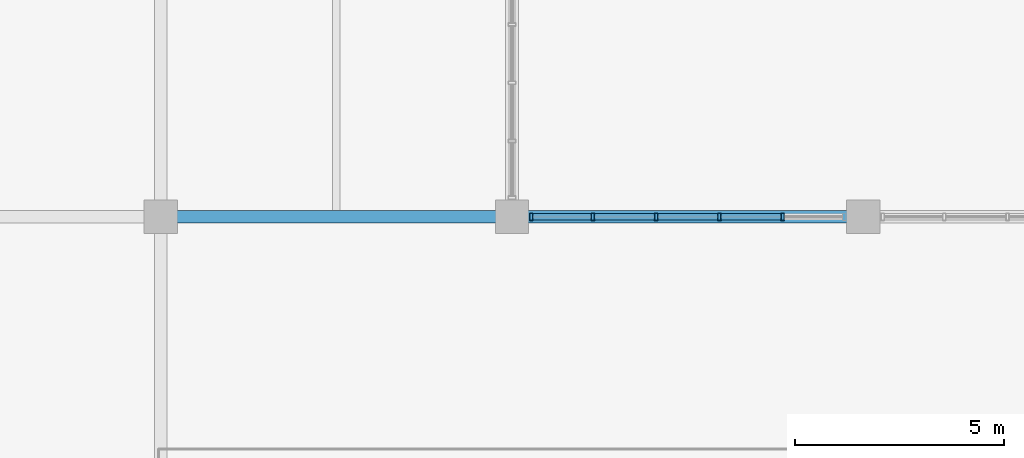
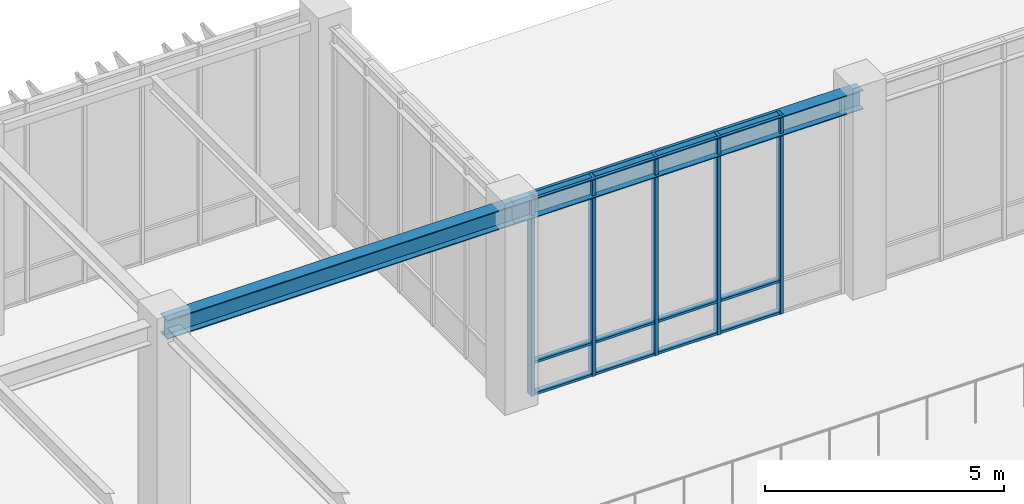
# One storey, part 48 of 139: 17 members, 2 beams, 1 element without a shape of its own.
"""IFC4 building model written with IfcOpenShell, lengths in metres."""

from ifc_helpers import new_model, si_unit, direction, frame, origin, origin_2d, place, context, subcontext, project, spatial, hollow_rectangle, i_section, extrude, material, layer, layer_set, material_profile, profile_set, type_object, element, aggregate, save


model = new_model("IFC4")

# Units and contexts
model_context = context("Model", 3, precision=1e-05, world=origin(), true_north=direction((0.0, 1.0)))
body_context = subcontext(model_context, "Body", "Model", "MODEL_VIEW")
ifc_project = project(units=[si_unit("LENGTHUNIT", "METRE"), si_unit("AREAUNIT", "SQUARE_METRE"), si_unit("VOLUMEUNIT", "CUBIC_METRE"), si_unit("PLANEANGLEUNIT", "RADIAN"), si_unit("MASSUNIT", "GRAM", prefix="KILO")], contexts=[model_context])

# Site, building, storey
site_placement = place(None, origin())
site = spatial("IfcSite", under=ifc_project, at=site_placement, CompositionType="ELEMENT")
building_placement = place(site_placement, origin())
building = spatial("IfcBuilding", under=site, at=building_placement, Name="Zayran Congress Hotel", CompositionType="ELEMENT")
storey_placement = place(building_placement, frame((0.0, 0.0, 5.39990234375)))
storey = spatial("IfcBuildingStorey", under=building, at=storey_placement, Name="L01", CompositionType="ELEMENT", Elevation=5.39990234375)

# Beams
ifc_material_1 = material(Name="Steel S355", Category="steel")
ifc_material_profile_1 = material_profile(ifc_material_1, i_section(OverallWidth=0.300048828125, OverallDepth=0.489990234375, WebThickness=0.011962890625, FlangeThickness=0.02294921875, at=origin_2d()), Name="HEA 500")
ifc_profile_set_1 = profile_set([ifc_material_profile_1], Name="Steel S355")
beam_type = type_object("IfcBeamType", Name="TP-BM-05", PredefinedType="BEAM", material=ifc_profile_set_1)
beam_1_placement = place(storey_placement, frame((25.199951171875, 109.60009765625, 4.835205078125), z_axis=(1.0, 0.0, 0.0), x_axis=(0.0, 1.0, 0.0)))
element("IfcBeam", 1, at=beam_1_placement, inside=storey, type_object=beam_type, Name="BM-V1-L01-0553", PredefinedType="BEAM", context=body_context, shape_type="SweptSolid", body=[
    extrude(i_section(OverallWidth=0.300048828125, OverallDepth=0.489990234375, WebThickness=0.011962890625, FlangeThickness=0.02294921875, at=origin_2d()), origin(), (0.0, 0.0, 1.0), 8.400146484375),
])
beam_2_placement = place(storey_placement, frame((33.60009765625, 109.60009765625, 4.835205078125), z_axis=(1.0, 0.0, 0.0), x_axis=(0.0, 1.0, 0.0)))
element("IfcBeam", 2, at=beam_2_placement, inside=storey, type_object=beam_type, Name="BM-V1-L01-0554", PredefinedType="BEAM", context=body_context, shape_type="SweptSolid", body=[
    extrude(i_section(OverallWidth=0.300048828125, OverallDepth=0.489990234375, WebThickness=0.011962890625, FlangeThickness=0.02294921875, at=origin_2d()), origin(), (0.0, 0.0, 1.0), 8.39990234375),
])

# Curtain wall, members
ifc_material_2 = material(Name="Anodised aluminium and low-E insulated glass", Category="aluminium")
ifc_layer = layer(ifc_material_2, 0.179931640625)
ifc_layer_set = layer_set([ifc_layer], Name="Anodised aluminium and low-E insulated glass")
curtain_wall_type = type_object("IfcCurtainWallType", Name="CW-V1NF-L01-CW-21-7560-5080", PredefinedType="USERDEFINED", material=ifc_layer_set)
curtain_wall_placement = place(storey_placement, origin())
curtain_wall = element("IfcCurtainWall", 3, at=curtain_wall_placement, inside=storey, type_object=curtain_wall_type, Name="CW-V1NF-L01-3", ObjectType="CURTAIN WALL", PredefinedType="USERDEFINED")
ifc_material_3 = material(Name="Anodised aluminium framing", Category="aluminium")
ifc_material_profile_2 = material_profile(ifc_material_3, hollow_rectangle(XDim=0.080078125, YDim=0.179931640625, WallThickness=0.0048828125, at=origin_2d()), Name="RHS 180x80x5")
ifc_profile_set_2 = profile_set([ifc_material_profile_2], Name="Anodised aluminium framing")
member_type_1 = type_object("IfcMemberType", Name="TP-CWM-01", PredefinedType="MULLION", material=ifc_profile_set_2)
member_1_placement = place(storey_placement, frame((40.068115234375, 109.60009765625, 0.0), z_axis=(0.0, 0.0, 1.0), x_axis=(1.0, 0.0, 0.0)))
member_1 = element("IfcMember", 4, at=member_1_placement, type_object=member_type_1, Name="CW-V1NF-L01-3-M01", PredefinedType="MULLION", context=body_context, shape_type="SweptSolid", body=[
    extrude(hollow_rectangle(XDim=0.080078125, YDim=0.179931640625, WallThickness=0.0048828125, at=origin_2d()), origin(), (0.0, 0.0, 1.0), 5.080078125),
])
member_2_placement = place(storey_placement, frame((38.555908203125, 109.60009765625, 0.0), z_axis=(0.0, 0.0, 1.0), x_axis=(1.0, 0.0, 0.0)))
member_2 = element("IfcMember", 5, at=member_2_placement, type_object=member_type_1, Name="CW-V1NF-L01-3-M02", PredefinedType="MULLION", context=body_context, shape_type="SweptSolid", body=[
    extrude(hollow_rectangle(XDim=0.080078125, YDim=0.179931640625, WallThickness=0.0048828125, at=origin_2d()), origin(), (0.0, 0.0, 1.0), 5.080078125),
])
member_3_placement = place(storey_placement, frame((37.0439453125, 109.60009765625, 0.0), z_axis=(0.0, 0.0, 1.0), x_axis=(1.0, 0.0, 0.0)))
member_3 = element("IfcMember", 6, at=member_3_placement, type_object=member_type_1, Name="CW-V1NF-L01-3-M03", PredefinedType="MULLION", context=body_context, shape_type="SweptSolid", body=[
    extrude(hollow_rectangle(XDim=0.080078125, YDim=0.179931640625, WallThickness=0.0048828125, at=origin_2d()), origin(), (0.0, 0.0, 1.0), 5.080078125),
])
member_4_placement = place(storey_placement, frame((35.531982421875, 109.60009765625, 0.0), z_axis=(0.0, 0.0, 1.0), x_axis=(1.0, 0.0, 0.0)))
member_4 = element("IfcMember", 7, at=member_4_placement, type_object=member_type_1, Name="CW-V1NF-L01-3-M04", PredefinedType="MULLION", context=body_context, shape_type="SweptSolid", body=[
    extrude(hollow_rectangle(XDim=0.080078125, YDim=0.179931640625, WallThickness=0.0048828125, at=origin_2d()), origin(), (0.0, 0.0, 1.0), 5.080078125),
])
member_5_placement = place(storey_placement, frame((34.06005859375, 109.60009765625, 0.0), z_axis=(0.0, 0.0, 1.0), x_axis=(1.0, 0.0, 0.0)))
member_5 = element("IfcMember", 8, at=member_5_placement, type_object=member_type_1, Name="CW-V1NF-L01-3-M05", PredefinedType="MULLION", context=body_context, shape_type="SweptSolid", body=[
    extrude(hollow_rectangle(XDim=0.080078125, YDim=0.179931640625, WallThickness=0.0048828125, at=origin_2d()), origin(), (0.0, 0.0, 1.0), 5.080078125),
])
ifc_material_profile_3 = material_profile(ifc_material_3, hollow_rectangle(XDim=0.06005859375, YDim=0.14990234375, WallThickness=0.00390625, at=origin_2d()), Name="RHS 150x60x4")
ifc_profile_set_3 = profile_set([ifc_material_profile_3], Name="Anodised aluminium framing")
member_type_2 = type_object("IfcMemberType", Name="TP-CWT-01", PredefinedType="USERDEFINED", material=ifc_profile_set_3)
member_6_placement = place(storey_placement, frame((40.028076171875, 109.60009765625, 0.030029296875), z_axis=(-1.0, 0.0, 0.0), x_axis=(0.0, 0.0, 1.0)))
member_6 = element("IfcMember", 9, at=member_6_placement, type_object=member_type_2, Name="CW-V1NF-L01-3-T01-0", ObjectType="TRANSOM", PredefinedType="USERDEFINED", context=body_context, shape_type="SweptSolid", body=[
    extrude(hollow_rectangle(XDim=0.06005859375, YDim=0.14990234375, WallThickness=0.00390625, at=origin_2d()), origin(), (0.0, 0.0, 1.0), 1.43212890625),
])
member_7_placement = place(storey_placement, frame((40.028076171875, 109.60009765625, 0.840087890625), z_axis=(-1.0, 0.0, 0.0), x_axis=(0.0, 0.0, 1.0)))
member_7 = element("IfcMember", 10, at=member_7_placement, type_object=member_type_2, Name="CW-V1NF-L01-3-T01-1", ObjectType="TRANSOM", PredefinedType="USERDEFINED", context=body_context, shape_type="SweptSolid", body=[
    extrude(hollow_rectangle(XDim=0.06005859375, YDim=0.14990234375, WallThickness=0.00390625, at=origin_2d()), origin(), (0.0, 0.0, 1.0), 1.43212890625),
])
member_8_placement = place(storey_placement, frame((40.028076171875, 109.60009765625, 5.050048828125), z_axis=(-1.0, 0.0, 0.0), x_axis=(0.0, 0.0, 1.0)))
member_8 = element("IfcMember", 11, at=member_8_placement, type_object=member_type_2, Name="CW-V1NF-L01-3-T01-2", ObjectType="TRANSOM", PredefinedType="USERDEFINED", context=body_context, shape_type="SweptSolid", body=[
    extrude(hollow_rectangle(XDim=0.06005859375, YDim=0.14990234375, WallThickness=0.00390625, at=origin_2d()), origin(), (0.0, 0.0, 1.0), 1.43212890625),
])
member_9_placement = place(storey_placement, frame((38.51611328125, 109.60009765625, 0.030029296875), z_axis=(-1.0, 0.0, 0.0), x_axis=(0.0, 0.0, 1.0)))
member_9 = element("IfcMember", 12, at=member_9_placement, type_object=member_type_2, Name="CW-V1NF-L01-3-T02-0", ObjectType="TRANSOM", PredefinedType="USERDEFINED", context=body_context, shape_type="SweptSolid", body=[
    extrude(hollow_rectangle(XDim=0.06005859375, YDim=0.14990234375, WallThickness=0.00390625, at=origin_2d()), origin(), (0.0, 0.0, 1.0), 1.43212890625),
])
member_10_placement = place(storey_placement, frame((38.51611328125, 109.60009765625, 0.840087890625), z_axis=(-1.0, 0.0, 0.0), x_axis=(0.0, 0.0, 1.0)))
member_10 = element("IfcMember", 13, at=member_10_placement, type_object=member_type_2, Name="CW-V1NF-L01-3-T02-1", ObjectType="TRANSOM", PredefinedType="USERDEFINED", context=body_context, shape_type="SweptSolid", body=[
    extrude(hollow_rectangle(XDim=0.06005859375, YDim=0.14990234375, WallThickness=0.00390625, at=origin_2d()), origin(), (0.0, 0.0, 1.0), 1.43212890625),
])
member_11_placement = place(storey_placement, frame((38.51611328125, 109.60009765625, 5.050048828125), z_axis=(-1.0, 0.0, 0.0), x_axis=(0.0, 0.0, 1.0)))
member_11 = element("IfcMember", 14, at=member_11_placement, type_object=member_type_2, Name="CW-V1NF-L01-3-T02-2", ObjectType="TRANSOM", PredefinedType="USERDEFINED", context=body_context, shape_type="SweptSolid", body=[
    extrude(hollow_rectangle(XDim=0.06005859375, YDim=0.14990234375, WallThickness=0.00390625, at=origin_2d()), origin(), (0.0, 0.0, 1.0), 1.43212890625),
])
member_12_placement = place(storey_placement, frame((37.00390625, 109.60009765625, 0.030029296875), z_axis=(-1.0, 0.0, 0.0), x_axis=(0.0, 0.0, 1.0)))
member_12 = element("IfcMember", 15, at=member_12_placement, type_object=member_type_2, Name="CW-V1NF-L01-3-T03-0", ObjectType="TRANSOM", PredefinedType="USERDEFINED", context=body_context, shape_type="SweptSolid", body=[
    extrude(hollow_rectangle(XDim=0.06005859375, YDim=0.14990234375, WallThickness=0.00390625, at=origin_2d()), origin(), (0.0, 0.0, 1.0), 1.431884765625),
])
member_13_placement = place(storey_placement, frame((37.00390625, 109.60009765625, 0.840087890625), z_axis=(-1.0, 0.0, 0.0), x_axis=(0.0, 0.0, 1.0)))
member_13 = element("IfcMember", 16, at=member_13_placement, type_object=member_type_2, Name="CW-V1NF-L01-3-T03-1", ObjectType="TRANSOM", PredefinedType="USERDEFINED", context=body_context, shape_type="SweptSolid", body=[
    extrude(hollow_rectangle(XDim=0.06005859375, YDim=0.14990234375, WallThickness=0.00390625, at=origin_2d()), origin(), (0.0, 0.0, 1.0), 1.431884765625),
])
member_14_placement = place(storey_placement, frame((37.00390625, 109.60009765625, 5.050048828125), z_axis=(-1.0, 0.0, 0.0), x_axis=(0.0, 0.0, 1.0)))
member_14 = element("IfcMember", 17, at=member_14_placement, type_object=member_type_2, Name="CW-V1NF-L01-3-T03-2", ObjectType="TRANSOM", PredefinedType="USERDEFINED", context=body_context, shape_type="SweptSolid", body=[
    extrude(hollow_rectangle(XDim=0.06005859375, YDim=0.14990234375, WallThickness=0.00390625, at=origin_2d()), origin(), (0.0, 0.0, 1.0), 1.431884765625),
])
member_15_placement = place(storey_placement, frame((35.491943359375, 109.60009765625, 0.030029296875), z_axis=(-1.0, 0.0, 0.0), x_axis=(0.0, 0.0, 1.0)))
member_15 = element("IfcMember", 18, at=member_15_placement, type_object=member_type_2, Name="CW-V1NF-L01-3-T04-0", ObjectType="TRANSOM", PredefinedType="USERDEFINED", context=body_context, shape_type="SweptSolid", body=[
    extrude(hollow_rectangle(XDim=0.06005859375, YDim=0.14990234375, WallThickness=0.00390625, at=origin_2d()), origin(), (0.0, 0.0, 1.0), 1.391845703125),
])
member_16_placement = place(storey_placement, frame((35.491943359375, 109.60009765625, 0.840087890625), z_axis=(-1.0, 0.0, 0.0), x_axis=(0.0, 0.0, 1.0)))
member_16 = element("IfcMember", 19, at=member_16_placement, type_object=member_type_2, Name="CW-V1NF-L01-3-T04-1", ObjectType="TRANSOM", PredefinedType="USERDEFINED", context=body_context, shape_type="SweptSolid", body=[
    extrude(hollow_rectangle(XDim=0.06005859375, YDim=0.14990234375, WallThickness=0.00390625, at=origin_2d()), origin(), (0.0, 0.0, 1.0), 1.391845703125),
])
member_17_placement = place(storey_placement, frame((35.491943359375, 109.60009765625, 5.050048828125), z_axis=(-1.0, 0.0, 0.0), x_axis=(0.0, 0.0, 1.0)))
member_17 = element("IfcMember", 20, at=member_17_placement, type_object=member_type_2, Name="CW-V1NF-L01-3-T04-2", ObjectType="TRANSOM", PredefinedType="USERDEFINED", context=body_context, shape_type="SweptSolid", body=[
    extrude(hollow_rectangle(XDim=0.06005859375, YDim=0.14990234375, WallThickness=0.00390625, at=origin_2d()), origin(), (0.0, 0.0, 1.0), 1.391845703125),
])
aggregate(curtain_wall, [member_1, member_2, member_3, member_4, member_5, member_6, member_7, member_8, member_9, member_10, member_11, member_12, member_13, member_14, member_15, member_16, member_17])

save(model, "model.ifc")
